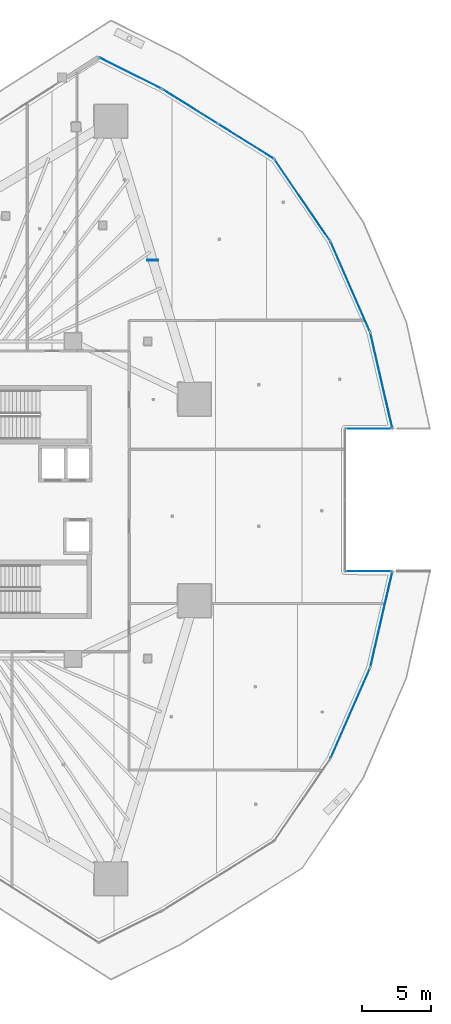
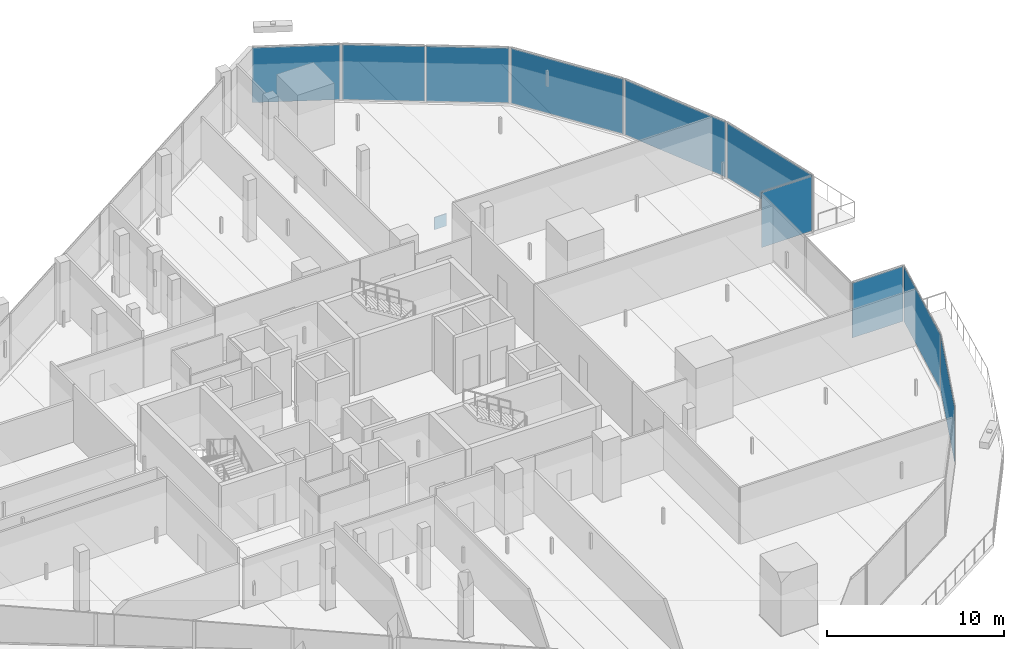
# One storey, part 29 of 46: 11 plates, 9 elements without a shape of their own.
"""IFC4 building model written with IfcOpenShell, lengths in metres."""

import ifcopenshell
import ifcopenshell.guid

model = None  # the IFC model being written
_history = None  # IfcOwnerHistory: only IFC2X3 demands one
_inside = {}  # id of a spatial element -> (the spatial element, [elements in it])
_under = {}  # id of a project, library or spatial element -> (it, [spatial elements below it])
_declared = {}  # id of a project -> (the project, [libraries it declares])
_typed = {}  # id of a type object -> (the type object, [elements of that type])
_made_of = {}  # id of a material, layer set ... -> (it, [elements and type objects made of it])


def new_model(schema):
    """Start an empty IFC model of exactly this schema.

    Asked for "IFC4X3", IfcOpenShell would pick the latest addendum, in which some entities
    have other attributes; the version numbers below select the first issue.
    IFC2X3 requires an IfcOwnerHistory on every rooted entity: one is made here for all.
    """
    global model, _history
    if schema == "IFC4X3":
        model = ifcopenshell.file(schema_version=(4, 3, 0, 0))
    else:
        model = ifcopenshell.file(schema=schema)
    _inside.clear()
    _under.clear()
    _declared.clear()
    _typed.clear()
    _made_of.clear()
    _history = None
    if model.schema == "IFC2X3":
        org = make("IfcOrganization", Name="unknown")
        user = make(
            "IfcPersonAndOrganization",
            ThePerson=make("IfcPerson", FamilyName="unknown"),
            TheOrganization=org,
        )
        app = make(
            "IfcApplication",
            ApplicationDeveloper=org,
            Version="unknown",
            ApplicationFullName="unknown",
            ApplicationIdentifier="unknown",
        )
        _history = make(
            "IfcOwnerHistory",
            OwningUser=user,
            OwningApplication=app,
            ChangeAction="ADDED",
            CreationDate=0,
        )
    return model


def make(cls, **values):
    """One entity of the class cls with the attributes given. An attribute that is None is left unset."""
    return model.create_entity(
        cls, **{name: value for name, value in values.items() if value is not None}
    )


def rooted(cls, **values):
    """An entity with a GlobalId (a new one), such as an element, a storey or a relation."""
    return make(cls, GlobalId=ifcopenshell.guid.new(), OwnerHistory=_history, **values)


def si_unit(unit_type, name, prefix=None):
    """IfcSIUnit, for example si_unit("LENGTHUNIT", "METRE", prefix="MILLI")."""
    return make("IfcSIUnit", UnitType=unit_type, Prefix=prefix, Name=name)


def assignment(units):
    """IfcUnitAssignment: the units of a project."""
    return None if units is None else make("IfcUnitAssignment", Units=units)


def point(xyz):
    """IfcCartesianPoint."""
    return None if xyz is None else make("IfcCartesianPoint", Coordinates=xyz)


def direction(xyz):
    """IfcDirection."""
    return None if xyz is None else make("IfcDirection", DirectionRatios=xyz)


def frame(location, z_axis=None, x_axis=None):
    """IfcAxis2Placement3D, a coordinate frame: its origin and axes. An axis left out is left unset."""
    return make(
        "IfcAxis2Placement3D",
        Location=point(location),
        Axis=direction(z_axis),
        RefDirection=direction(x_axis),
    )


def frame_2d(location, x_axis=None):
    """IfcAxis2Placement2D, a coordinate frame in the plane: its origin and x axis."""
    return make(
        "IfcAxis2Placement2D", Location=point(location), RefDirection=direction(x_axis)
    )


def origin():
    """The frame at (0, 0, 0) with its axes left unset."""
    return frame((0.0, 0.0, 0.0))


def origin_2d():
    """The frame at (0, 0) in the plane with its x axis left unset."""
    return frame_2d((0.0, 0.0))


def place(relative_to, where):
    """IfcLocalPlacement: puts the frame where relative to a parent placement (None: the world)."""
    return make(
        "IfcLocalPlacement", PlacementRelTo=relative_to, RelativePlacement=where
    )


def context(
    kind, dimensions, precision=None, world=None, true_north=None, identifier=None
):
    """IfcGeometricRepresentationContext, for example the 3D "Model" context."""
    return make(
        "IfcGeometricRepresentationContext",
        ContextIdentifier=identifier,
        ContextType=kind,
        CoordinateSpaceDimension=dimensions,
        Precision=precision,
        WorldCoordinateSystem=world,
        TrueNorth=true_north,
    )


def subcontext(parent, identifier, kind, view, scale=None):
    """IfcGeometricRepresentationSubContext, for example "Body" below "Model"."""
    return make(
        "IfcGeometricRepresentationSubContext",
        ContextIdentifier=identifier,
        ContextType=kind,
        ParentContext=parent,
        TargetScale=scale,
        TargetView=view,
    )


def project(units=None, contexts=None):
    """IfcProject with its units and contexts."""
    return rooted(
        "IfcProject",
        Name="project",
        RepresentationContexts=contexts,
        UnitsInContext=assignment(units),
    )


def spatial(cls, under=None, at=None, **own):
    """A site, building, storey or space (cls), placed at a placement, below another one or the project."""
    s = rooted(cls, ObjectPlacement=at, **own)
    if under is not None:
        _under.setdefault(under.id(), (under, []))[1].append(s)
    return s


def profile(cls, at=None, kind="AREA", **sizes):
    """A parametric profile (cls). Its sizes go by their IFC names, for example OverallWidth=200.0."""
    return make(cls, ProfileType=kind, Position=at, **sizes)


def rectangle(**sizes):
    """IfcRectangleProfileDef."""
    return profile("IfcRectangleProfileDef", **sizes)


def extrude(swept, where, along, depth):
    """IfcExtrudedAreaSolid: the profile swept, set in the frame where, extruded along a direction by depth."""
    return make(
        "IfcExtrudedAreaSolid",
        SweptArea=swept,
        Position=where,
        ExtrudedDirection=direction(along),
        Depth=depth,
    )


def shape(context_of_items, identifier, shape_type, items):
    """IfcShapeRepresentation: the items that make up one representation, for example the "Body"."""
    return make(
        "IfcShapeRepresentation",
        ContextOfItems=context_of_items,
        RepresentationIdentifier=identifier,
        RepresentationType=shape_type,
        Items=items,
    )


def material(Name=None, Category=None):
    """IfcMaterial."""
    return make("IfcMaterial", Name=Name, Category=Category)


def layer(
    of_material, thickness, ventilated=None, Name=None, Category=None, Priority=None
):
    """IfcMaterialLayer: one layer of a wall or slab, of a material (None: an air gap)."""
    return make(
        "IfcMaterialLayer",
        Material=of_material,
        LayerThickness=thickness,
        IsVentilated=ventilated,
        Name=Name,
        Category=Category,
        Priority=Priority,
    )


def layer_set(layers, Name=None):
    """IfcMaterialLayerSet."""
    return make("IfcMaterialLayerSet", MaterialLayers=layers, LayerSetName=Name)


def made_of(thing, what):
    """Note that an element or type object is made of a material, layer set ...; save() writes the relation."""
    if what is not None:
        _made_of.setdefault(what.id(), (what, []))[1].append(thing)
    return thing


def type_object(cls, material=None, **own):
    """A type object (cls), such as IfcWallType, which elements share."""
    return made_of(rooted(cls, **own), material)


def element(
    cls,
    number,
    at=None,
    inside=None,
    cuts=None,
    type_object=None,
    material=None,
    context=None,
    identifier="Body",
    shape_type=None,
    held_by="IfcProductDefinitionShape",
    body=None,
    shapes=None,
    **own,
):
    """One element of the class cls, such as IfcWall. Its Tag is "e" and its number.

    at: its placement. inside: the storey or other place that contains it. cuts: it is an
    opening in that element (IfcRelVoidsElement). A single representation is given by context,
    identifier, shape_type and body (its items); several are given by shapes. held_by: the class
    of the entity that holds the representations. save() writes the other relations.
    """
    e = rooted(cls, Tag="e%d" % number, ObjectPlacement=at, **own)
    if body is not None:
        shapes = [shape(context, identifier, shape_type, body)]
    if shapes is not None:
        e.Representation = make(held_by, Representations=shapes)
    if inside is not None:
        _inside.setdefault(inside.id(), (inside, []))[1].append(e)
    if cuts is not None:
        rooted(
            "IfcRelVoidsElement", RelatingBuildingElement=cuts, RelatedOpeningElement=e
        )
    if type_object is not None:
        _typed.setdefault(type_object.id(), (type_object, []))[1].append(e)
    return made_of(e, material)


def aggregate(whole, parts):
    """IfcRelAggregates: a whole, such as a stair, and the parts it consists of."""
    return rooted("IfcRelAggregates", RelatingObject=whole, RelatedObjects=parts)


def save(model, path):
    """Write the relations noted so far, then the file.

    IfcRelAggregates (storeys below a building ...), IfcRelContainedInSpatialStructure (elements
    in a storey), IfcRelDefinesByType, IfcRelAssociatesMaterial and IfcRelDeclares: one each for
    every whole, place, type object, material and project.
    """
    for whole, parts in _under.values():
        aggregate(whole, parts)
    for where, things in _inside.values():
        rooted(
            "IfcRelContainedInSpatialStructure",
            RelatedElements=things,
            RelatingStructure=where,
        )
    for kind, things in _typed.values():
        rooted("IfcRelDefinesByType", RelatedObjects=things, RelatingType=kind)
    for what, things in _made_of.values():
        rooted("IfcRelAssociatesMaterial", RelatedObjects=things, RelatingMaterial=what)
    for by, libraries in _declared.values():
        rooted("IfcRelDeclares", RelatingContext=by, RelatedDefinitions=libraries)
    model.write(path)


model = new_model("IFC4")

# Units and contexts
model_context = context("Model", 3, precision=1e-05, world=origin(), true_north=direction((0.0, 1.0)))
body_context = subcontext(model_context, "Body", "Model", "MODEL_VIEW")
ifc_project = project(units=[si_unit("LENGTHUNIT", "METRE"), si_unit("AREAUNIT", "SQUARE_METRE"), si_unit("VOLUMEUNIT", "CUBIC_METRE"), si_unit("PLANEANGLEUNIT", "RADIAN"), si_unit("MASSUNIT", "GRAM", prefix="KILO")], contexts=[model_context])

# Site, building, storey
site_placement = place(None, origin())
site = spatial("IfcSite", under=ifc_project, at=site_placement, CompositionType="ELEMENT")
building_placement = place(site_placement, origin())
building = spatial("IfcBuilding", under=site, at=building_placement, Name="Qorvath Tower", CompositionType="ELEMENT")
storey_placement = place(building_placement, frame((0.0, 0.0, 87.0)))
storey = spatial("IfcBuildingStorey", under=building, at=storey_placement, Name="L19", CompositionType="ELEMENT", Elevation=87.0)

# Curtain wall, plate
ifc_material_1 = material(Name="Anodised aluminium and triple low-E glass", Category="aluminium")
ifc_layer_1 = layer(ifc_material_1, 0.179931640625)
ifc_layer_set_1 = layer_set([ifc_layer_1], Name="CW-SYS-2")
curtain_wall_type = type_object("IfcCurtainWallType", Name="CW-SYS-2", PredefinedType="NOTDEFINED", material=ifc_layer_set_1)
curtain_wall_1_placement = place(storey_placement, origin())
curtain_wall_1 = element("IfcCurtainWall", 1, at=curtain_wall_1_placement, inside=storey, type_object=curtain_wall_type, Name="Curtain Wall CW-2 CW-T-L19-6.1", PredefinedType="NOTDEFINED")
ifc_material_2 = material(Name="Low-E triple insulated glass", Category="glass")
ifc_layer_2 = layer(ifc_material_2, 0.031982421875)
ifc_layer_set_2 = layer_set([ifc_layer_2], Name="CWP-GLZ-32")
plate_type_1 = type_object("IfcPlateType", Name="CWP-GLZ-32", PredefinedType="CURTAIN_PANEL", material=ifc_layer_set_2)
plate_1_placement = place(storey_placement, frame((2.81103515625, -15.40478515625, 0.06494140625), z_axis=(0.0, 0.0, 1.0), x_axis=(0.401439527499, 0.915885530927, 0.0)))
plate_1 = element("IfcPlate", 2, at=plate_1_placement, type_object=plate_type_1, Name="CW-2 panel 1.1", PredefinedType="CURTAIN_PANEL", context=body_context, shape_type="SweptSolid", body=[
    extrude(rectangle(XDim=7.035888671875, YDim=0.031982421875, at=origin_2d()), origin(), (0.0, 0.0, 1.0), 3.789794921875),
])
aggregate(curtain_wall_1, [plate_1])

curtain_wall_2_placement = place(storey_placement, origin())
curtain_wall_2 = element("IfcCurtainWall", 3, at=curtain_wall_2_placement, inside=storey, type_object=curtain_wall_type, Name="Curtain Wall CW-2 CW-T-L19-7.1", PredefinedType="NOTDEFINED")
plate_2_placement = place(storey_placement, frame((5.055419921875, -8.632080078125, 0.06494140625), z_axis=(0.0, 0.0, 1.0), x_axis=(0.22492269459, 0.974376611716, 0.0)))
plate_2 = element("IfcPlate", 4, at=plate_2_placement, type_object=plate_type_1, Name="CW-2 panel 1.1", PredefinedType="CURTAIN_PANEL", context=body_context, shape_type="SweptSolid", body=[
    extrude(rectangle(XDim=7.0361328125, YDim=0.031982421875, at=origin_2d()), origin(), (0.0, 0.0, 1.0), 3.789794921875),
])
aggregate(curtain_wall_2, [plate_2])

curtain_wall_3_placement = place(storey_placement, origin())
curtain_wall_3 = element("IfcCurtainWall", 5, at=curtain_wall_3_placement, inside=storey, type_object=curtain_wall_type, Name="Curtain Wall CW-2 CW-T-L19-8.1", PredefinedType="NOTDEFINED")
plate_3_placement = place(storey_placement, frame((4.147705078125, -5.140869140625, 0.06494140625), z_axis=(0.0, 0.0, 1.0), x_axis=(-1.0, 0.0, 0.0)))
plate_3 = element("IfcPlate", 6, at=plate_3_placement, type_object=plate_type_1, Name="CW-2 panel 1.1", PredefinedType="CURTAIN_PANEL", context=body_context, shape_type="SweptSolid", body=[
    extrude(rectangle(XDim=3.297119140625, YDim=0.031982421875, at=origin_2d()), origin(), (0.0, 0.0, 1.0), 3.789794921875),
])
aggregate(curtain_wall_3, [plate_3])

curtain_wall_4_placement = place(storey_placement, origin())
curtain_wall_4 = element("IfcCurtainWall", 7, at=curtain_wall_4_placement, inside=storey, type_object=curtain_wall_type, Name="Curtain Wall CW-2 CW-T-L19-10.1", PredefinedType="NOTDEFINED")
plate_4_placement = place(storey_placement, frame((4.147705078125, 5.140869140625, 0.06494140625), z_axis=(0.0, 0.0, 1.0), x_axis=(1.0, 0.0, 0.0)))
plate_4 = element("IfcPlate", 8, at=plate_4_placement, type_object=plate_type_1, Name="CW-2 panel 1.1", PredefinedType="CURTAIN_PANEL", context=body_context, shape_type="SweptSolid", body=[
    extrude(rectangle(XDim=3.297119140625, YDim=0.031982421875, at=origin_2d()), origin(), (0.0, 0.0, 1.0), 3.789794921875),
])
aggregate(curtain_wall_4, [plate_4])

curtain_wall_5_placement = place(storey_placement, origin())
curtain_wall_5 = element("IfcCurtainWall", 9, at=curtain_wall_5_placement, inside=storey, type_object=curtain_wall_type, Name="Curtain Wall CW-2 CW-T-L19-11.1", PredefinedType="NOTDEFINED")
plate_5_placement = place(storey_placement, frame((5.055419921875, 8.632080078125, 0.06494140625), z_axis=(0.0, 0.0, 1.0), x_axis=(-0.22492269459, 0.974376611716, 0.0)))
plate_5 = element("IfcPlate", 10, at=plate_5_placement, type_object=plate_type_1, Name="CW-2 panel 1.1", PredefinedType="CURTAIN_PANEL", context=body_context, shape_type="SweptSolid", body=[
    extrude(rectangle(XDim=7.0361328125, YDim=0.031982421875, at=origin_2d()), origin(), (0.0, 0.0, 1.0), 3.789794921875),
])
aggregate(curtain_wall_5, [plate_5])

curtain_wall_6_placement = place(storey_placement, origin())
curtain_wall_6 = element("IfcCurtainWall", 11, at=curtain_wall_6_placement, inside=storey, type_object=curtain_wall_type, Name="Curtain Wall CW-2 CW-T-L19-12.1", PredefinedType="NOTDEFINED")
plate_6_placement = place(storey_placement, frame((2.81103515625, 15.40478515625, 0.06494140625), z_axis=(0.0, 0.0, 1.0), x_axis=(-0.401439527499, 0.915885530927, 0.0)))
plate_6 = element("IfcPlate", 12, at=plate_6_placement, type_object=plate_type_1, Name="CW-2 panel 1.1", PredefinedType="CURTAIN_PANEL", context=body_context, shape_type="SweptSolid", body=[
    extrude(rectangle(XDim=7.035888671875, YDim=0.031982421875, at=origin_2d()), origin(), (0.0, 0.0, 1.0), 3.789794921875),
])
aggregate(curtain_wall_6, [plate_6])

curtain_wall_7_placement = place(storey_placement, origin())
curtain_wall_7 = element("IfcCurtainWall", 13, at=curtain_wall_7_placement, inside=storey, type_object=curtain_wall_type, Name="Curtain Wall CW-2 CW-T-L19-13.1", PredefinedType="NOTDEFINED")
plate_7_placement = place(storey_placement, frame((-0.648193359375, 21.645263671875, 0.06494140625), z_axis=(0.0, 0.0, 1.0), x_axis=(-0.564035916259, 0.825750255931, 0.0)))
plate_7 = element("IfcPlate", 14, at=plate_7_placement, type_object=plate_type_1, Name="CW-2 panel 1.1", PredefinedType="CURTAIN_PANEL", context=body_context, shape_type="SweptSolid", body=[
    extrude(rectangle(XDim=7.0361328125, YDim=0.031982421875, at=origin_2d()), origin(), (0.0, 0.0, 1.0), 3.789794921875),
])
aggregate(curtain_wall_7, [plate_7])

# Curtain wall, plates
curtain_wall_8_placement = place(storey_placement, origin())
curtain_wall_8 = element("IfcCurtainWall", 15, at=curtain_wall_8_placement, inside=storey, type_object=curtain_wall_type, Name="Curtain Wall CW-2 CW-T-L19-14.1", PredefinedType="NOTDEFINED")
plate_8_placement = place(storey_placement, frame((-4.711669921875, 25.87939453125, 0.06494140625), z_axis=(0.0, 0.0, 1.0), x_axis=(-0.848231937947, 0.529624942243, 0.0)))
plate_8 = element("IfcPlate", 16, at=plate_8_placement, type_object=plate_type_1, Name="CW-2 panel 1.1", PredefinedType="CURTAIN_PANEL", context=body_context, shape_type="SweptSolid", body=[
    extrude(rectangle(XDim=4.68603515625, YDim=0.031982421875, at=origin_2d()), origin(), (0.0, 0.0, 1.0), 3.789794921875),
])
plate_9_placement = place(storey_placement, frame((-8.74169921875, 28.3955078125, 0.06494140625), z_axis=(0.0, 0.0, 1.0), x_axis=(-0.848231937947, 0.529624942243, 0.0)))
plate_9 = element("IfcPlate", 17, at=plate_9_placement, type_object=plate_type_1, Name="CW-2 panel 2.1", PredefinedType="CURTAIN_PANEL", context=body_context, shape_type="SweptSolid", body=[
    extrude(rectangle(XDim=4.68603515625, YDim=0.031982421875, at=origin_2d()), origin(), (0.0, 0.0, 1.0), 3.789794921875),
])
aggregate(curtain_wall_8, [plate_8, plate_9])

# Curtain wall, plate
curtain_wall_9_placement = place(storey_placement, origin())
curtain_wall_9 = element("IfcCurtainWall", 18, at=curtain_wall_9_placement, inside=storey, type_object=curtain_wall_type, Name="Curtain Wall CW-2 CW-T-L19-15.1", PredefinedType="NOTDEFINED")
plate_10_placement = place(storey_placement, frame((-13.066650390625, 30.81201171875, 0.06494140625), z_axis=(0.0, 0.0, 1.0), x_axis=(-0.894438947507, 0.447190081713, 0.0)))
plate_10 = element("IfcPlate", 19, at=plate_10_placement, type_object=plate_type_1, Name="CW-2 panel 1.1", PredefinedType="CURTAIN_PANEL", context=body_context, shape_type="SweptSolid", body=[
    extrude(rectangle(XDim=4.973388671875, YDim=0.031982421875, at=origin_2d()), origin(), (0.0, 0.0, 1.0), 3.789794921875),
])
aggregate(curtain_wall_9, [plate_10])

# Plate
ifc_material_3 = material(Name="Steel ASTM A572 Grade 50", Category="steel")
ifc_layer_3 = layer(ifc_material_3, 0.054931640625)
ifc_layer_set_3 = layer_set([ifc_layer_3], Name="PL-MBN1")
plate_type_2 = type_object("IfcPlateType", Name="PL-MBN1", PredefinedType="USERDEFINED", material=ifc_layer_set_3)
plate_11_placement = place(storey_placement, frame((-11.447265625, 17.303466796875, -1.054931640625), z_axis=(0.0, 0.0, 1.0), x_axis=(1.0, 0.0, 0.0)))
element("IfcPlate", 20, at=plate_11_placement, inside=storey, type_object=plate_type_2, Name="Brace Strut End Gusset Plate NDBG-135", ObjectType="GUSSET", PredefinedType="USERDEFINED", context=body_context, shape_type="SweptSolid", body=[
    extrude(rectangle(XDim=0.800048828125, YDim=0.054931640625, at=origin_2d()), origin(), (0.0, 0.0, 1.0), 0.85009765625),
])

save(model, "model.ifc")
